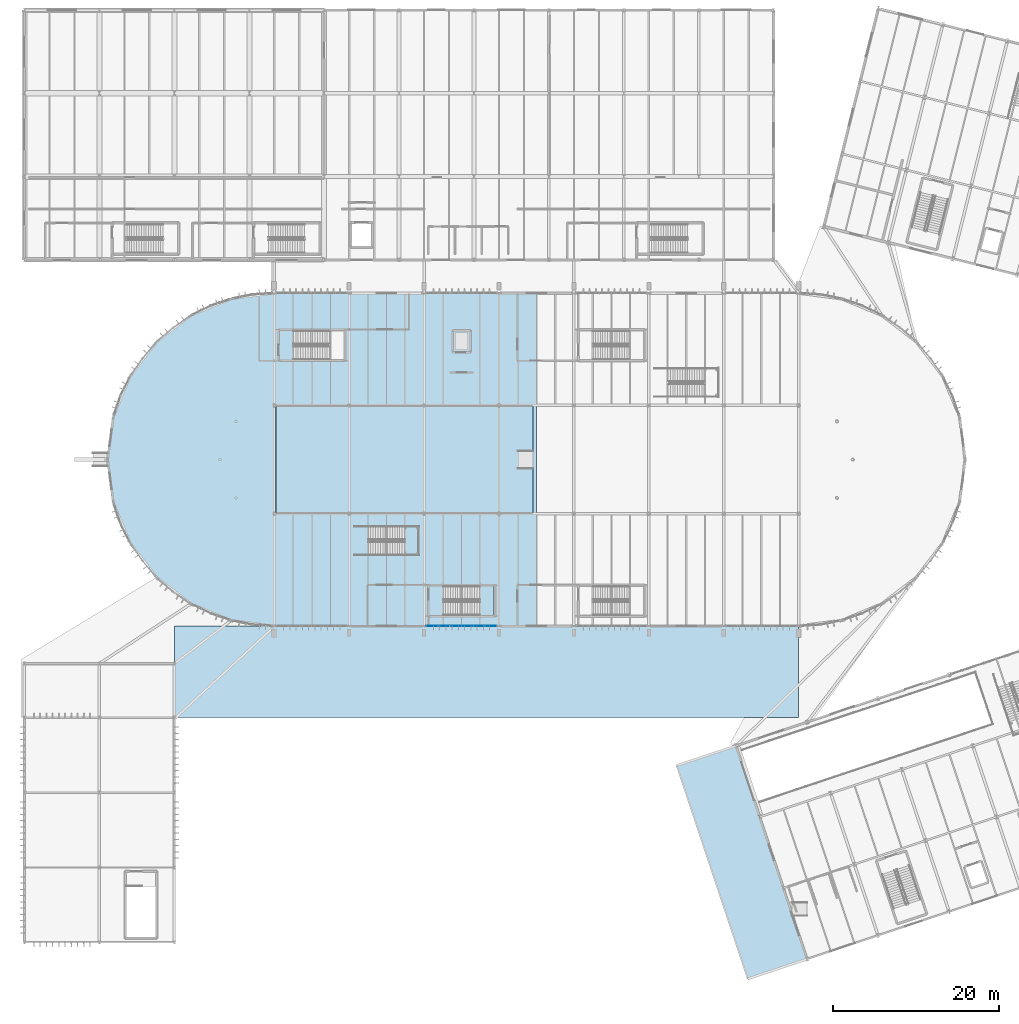
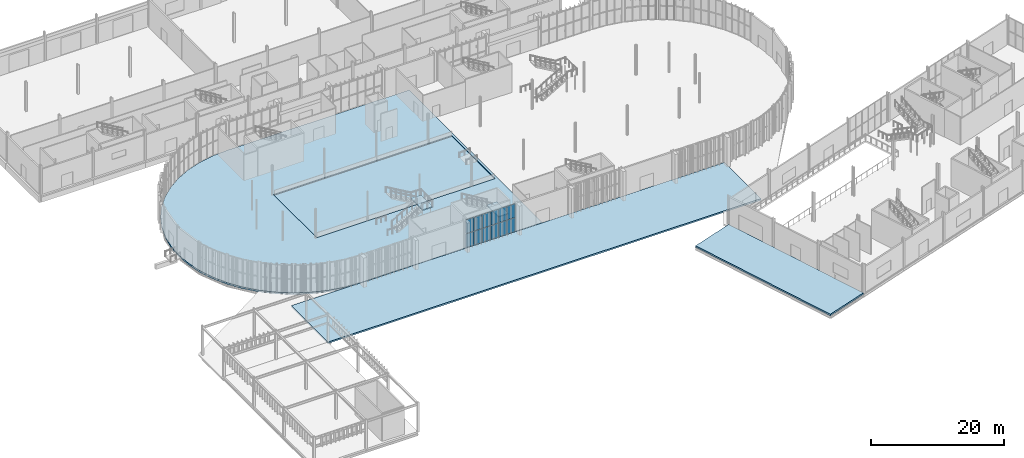
# One storey, part 106 of 158: 12 plates, 6 slabs, 3 elements without a shape of their own.
"""IFC4 building model written with IfcOpenShell, lengths in metres."""

import ifcopenshell
import ifcopenshell.guid

model = None  # the IFC model being written
_history = None  # IfcOwnerHistory: only IFC2X3 demands one
_inside = {}  # id of a spatial element -> (the spatial element, [elements in it])
_under = {}  # id of a project, library or spatial element -> (it, [spatial elements below it])
_declared = {}  # id of a project -> (the project, [libraries it declares])
_typed = {}  # id of a type object -> (the type object, [elements of that type])
_made_of = {}  # id of a material, layer set ... -> (it, [elements and type objects made of it])


def new_model(schema):
    """Start an empty IFC model of exactly this schema.

    Asked for "IFC4X3", IfcOpenShell would pick the latest addendum, in which some entities
    have other attributes; the version numbers below select the first issue.
    IFC2X3 requires an IfcOwnerHistory on every rooted entity: one is made here for all.
    """
    global model, _history
    if schema == "IFC4X3":
        model = ifcopenshell.file(schema_version=(4, 3, 0, 0))
    else:
        model = ifcopenshell.file(schema=schema)
    _inside.clear()
    _under.clear()
    _declared.clear()
    _typed.clear()
    _made_of.clear()
    _history = None
    if model.schema == "IFC2X3":
        org = make("IfcOrganization", Name="unknown")
        user = make(
            "IfcPersonAndOrganization",
            ThePerson=make("IfcPerson", FamilyName="unknown"),
            TheOrganization=org,
        )
        app = make(
            "IfcApplication",
            ApplicationDeveloper=org,
            Version="unknown",
            ApplicationFullName="unknown",
            ApplicationIdentifier="unknown",
        )
        _history = make(
            "IfcOwnerHistory",
            OwningUser=user,
            OwningApplication=app,
            ChangeAction="ADDED",
            CreationDate=0,
        )
    return model


def make(cls, **values):
    """One entity of the class cls with the attributes given. An attribute that is None is left unset."""
    return model.create_entity(
        cls, **{name: value for name, value in values.items() if value is not None}
    )


def rooted(cls, **values):
    """An entity with a GlobalId (a new one), such as an element, a storey or a relation."""
    return make(cls, GlobalId=ifcopenshell.guid.new(), OwnerHistory=_history, **values)


def si_unit(unit_type, name, prefix=None):
    """IfcSIUnit, for example si_unit("LENGTHUNIT", "METRE", prefix="MILLI")."""
    return make("IfcSIUnit", UnitType=unit_type, Prefix=prefix, Name=name)


def derived_unit(unit_type, elements):
    """IfcDerivedUnit: a product of units, each with its exponent."""
    return make(
        "IfcDerivedUnit",
        Elements=[
            make("IfcDerivedUnitElement", Unit=unit, Exponent=power)
            for unit, power in elements
        ],
        UnitType=unit_type,
    )


def assignment(units):
    """IfcUnitAssignment: the units of a project."""
    return None if units is None else make("IfcUnitAssignment", Units=units)


def point(xyz):
    """IfcCartesianPoint."""
    return None if xyz is None else make("IfcCartesianPoint", Coordinates=xyz)


def direction(xyz):
    """IfcDirection."""
    return None if xyz is None else make("IfcDirection", DirectionRatios=xyz)


def frame(location, z_axis=None, x_axis=None):
    """IfcAxis2Placement3D, a coordinate frame: its origin and axes. An axis left out is left unset."""
    return make(
        "IfcAxis2Placement3D",
        Location=point(location),
        Axis=direction(z_axis),
        RefDirection=direction(x_axis),
    )


def frame_2d(location, x_axis=None):
    """IfcAxis2Placement2D, a coordinate frame in the plane: its origin and x axis."""
    return make(
        "IfcAxis2Placement2D", Location=point(location), RefDirection=direction(x_axis)
    )


def origin():
    """The frame at (0, 0, 0) with its axes left unset."""
    return frame((0.0, 0.0, 0.0))


def origin_2d():
    """The frame at (0, 0) in the plane with its x axis left unset."""
    return frame_2d((0.0, 0.0))


def place(relative_to, where):
    """IfcLocalPlacement: puts the frame where relative to a parent placement (None: the world)."""
    return make(
        "IfcLocalPlacement", PlacementRelTo=relative_to, RelativePlacement=where
    )


def context(
    kind, dimensions, precision=None, world=None, true_north=None, identifier=None
):
    """IfcGeometricRepresentationContext, for example the 3D "Model" context."""
    return make(
        "IfcGeometricRepresentationContext",
        ContextIdentifier=identifier,
        ContextType=kind,
        CoordinateSpaceDimension=dimensions,
        Precision=precision,
        WorldCoordinateSystem=world,
        TrueNorth=true_north,
    )


def subcontext(parent, identifier, kind, view, scale=None):
    """IfcGeometricRepresentationSubContext, for example "Body" below "Model"."""
    return make(
        "IfcGeometricRepresentationSubContext",
        ContextIdentifier=identifier,
        ContextType=kind,
        ParentContext=parent,
        TargetScale=scale,
        TargetView=view,
    )


def project(units=None, contexts=None):
    """IfcProject with its units and contexts."""
    return rooted(
        "IfcProject",
        Name="project",
        RepresentationContexts=contexts,
        UnitsInContext=assignment(units),
    )


def spatial(cls, under=None, at=None, **own):
    """A site, building, storey or space (cls), placed at a placement, below another one or the project."""
    s = rooted(cls, ObjectPlacement=at, **own)
    if under is not None:
        _under.setdefault(under.id(), (under, []))[1].append(s)
    return s


def polyline(points):
    """IfcPolyline through the points."""
    return make("IfcPolyline", Points=[point(p) for p in points])


def profile(cls, at=None, kind="AREA", **sizes):
    """A parametric profile (cls). Its sizes go by their IFC names, for example OverallWidth=200.0."""
    return make(cls, ProfileType=kind, Position=at, **sizes)


def rectangle(**sizes):
    """IfcRectangleProfileDef."""
    return profile("IfcRectangleProfileDef", **sizes)


def outline(outer, holes=None, kind="AREA"):
    """IfcArbitraryClosedProfileDef: a profile drawn as a closed curve; with holes, ...WithVoids."""
    if holes is None:
        return make("IfcArbitraryClosedProfileDef", ProfileType=kind, OuterCurve=outer)
    return make(
        "IfcArbitraryProfileDefWithVoids",
        ProfileType=kind,
        OuterCurve=outer,
        InnerCurves=holes,
    )


def extrude(swept, where, along, depth):
    """IfcExtrudedAreaSolid: the profile swept, set in the frame where, extruded along a direction by depth."""
    return make(
        "IfcExtrudedAreaSolid",
        SweptArea=swept,
        Position=where,
        ExtrudedDirection=direction(along),
        Depth=depth,
    )


def shape(context_of_items, identifier, shape_type, items):
    """IfcShapeRepresentation: the items that make up one representation, for example the "Body"."""
    return make(
        "IfcShapeRepresentation",
        ContextOfItems=context_of_items,
        RepresentationIdentifier=identifier,
        RepresentationType=shape_type,
        Items=items,
    )


def material(Name=None, Category=None):
    """IfcMaterial."""
    return make("IfcMaterial", Name=Name, Category=Category)


def layer(
    of_material, thickness, ventilated=None, Name=None, Category=None, Priority=None
):
    """IfcMaterialLayer: one layer of a wall or slab, of a material (None: an air gap)."""
    return make(
        "IfcMaterialLayer",
        Material=of_material,
        LayerThickness=thickness,
        IsVentilated=ventilated,
        Name=Name,
        Category=Category,
        Priority=Priority,
    )


def layer_set(layers, Name=None):
    """IfcMaterialLayerSet."""
    return make("IfcMaterialLayerSet", MaterialLayers=layers, LayerSetName=Name)


def made_of(thing, what):
    """Note that an element or type object is made of a material, layer set ...; save() writes the relation."""
    if what is not None:
        _made_of.setdefault(what.id(), (what, []))[1].append(thing)
    return thing


def type_object(cls, material=None, **own):
    """A type object (cls), such as IfcWallType, which elements share."""
    return made_of(rooted(cls, **own), material)


def element(
    cls,
    number,
    at=None,
    inside=None,
    cuts=None,
    type_object=None,
    material=None,
    context=None,
    identifier="Body",
    shape_type=None,
    held_by="IfcProductDefinitionShape",
    body=None,
    shapes=None,
    **own,
):
    """One element of the class cls, such as IfcWall. Its Tag is "e" and its number.

    at: its placement. inside: the storey or other place that contains it. cuts: it is an
    opening in that element (IfcRelVoidsElement). A single representation is given by context,
    identifier, shape_type and body (its items); several are given by shapes. held_by: the class
    of the entity that holds the representations. save() writes the other relations.
    """
    e = rooted(cls, Tag="e%d" % number, ObjectPlacement=at, **own)
    if body is not None:
        shapes = [shape(context, identifier, shape_type, body)]
    if shapes is not None:
        e.Representation = make(held_by, Representations=shapes)
    if inside is not None:
        _inside.setdefault(inside.id(), (inside, []))[1].append(e)
    if cuts is not None:
        rooted(
            "IfcRelVoidsElement", RelatingBuildingElement=cuts, RelatedOpeningElement=e
        )
    if type_object is not None:
        _typed.setdefault(type_object.id(), (type_object, []))[1].append(e)
    return made_of(e, material)


def aggregate(whole, parts):
    """IfcRelAggregates: a whole, such as a stair, and the parts it consists of."""
    return rooted("IfcRelAggregates", RelatingObject=whole, RelatedObjects=parts)


def save(model, path):
    """Write the relations noted so far, then the file.

    IfcRelAggregates (storeys below a building ...), IfcRelContainedInSpatialStructure (elements
    in a storey), IfcRelDefinesByType, IfcRelAssociatesMaterial and IfcRelDeclares: one each for
    every whole, place, type object, material and project.
    """
    for whole, parts in _under.values():
        aggregate(whole, parts)
    for where, things in _inside.values():
        rooted(
            "IfcRelContainedInSpatialStructure",
            RelatedElements=things,
            RelatingStructure=where,
        )
    for kind, things in _typed.values():
        rooted("IfcRelDefinesByType", RelatedObjects=things, RelatingType=kind)
    for what, things in _made_of.values():
        rooted("IfcRelAssociatesMaterial", RelatedObjects=things, RelatingMaterial=what)
    for by, libraries in _declared.values():
        rooted("IfcRelDeclares", RelatingContext=by, RelatedDefinitions=libraries)
    model.write(path)


model = new_model("IFC4")

# Units and contexts
model_context = context("Model", 3, precision=1e-05, world=origin(), true_north=direction((0.0, 1.0)))
body_context = subcontext(model_context, "Body", "Model", "MODEL_VIEW")
ifc_project = project(units=[si_unit("LENGTHUNIT", "METRE"), si_unit("AREAUNIT", "SQUARE_METRE"), si_unit("VOLUMEUNIT", "CUBIC_METRE"), si_unit("PLANEANGLEUNIT", "RADIAN"), si_unit("MASSUNIT", "GRAM", prefix="KILO"), si_unit("THERMODYNAMICTEMPERATUREUNIT", "KELVIN"), si_unit("TIMEUNIT", "SECOND"), derived_unit("THERMALTRANSMITTANCEUNIT", [(si_unit("MASSUNIT", "GRAM", prefix="KILO"), 1), (si_unit("THERMODYNAMICTEMPERATUREUNIT", "KELVIN"), -1), (si_unit("TIMEUNIT", "SECOND"), -3)])], contexts=[model_context])

# Site, building, storey
site_placement = place(None, origin())
site = spatial("IfcSite", under=ifc_project, at=site_placement, CompositionType="ELEMENT")
building_placement = place(site_placement, origin())
building = spatial("IfcBuilding", under=site, at=building_placement, Name="Cambertide Market Hall", CompositionType="ELEMENT")
storey_placement = place(building_placement, origin())
storey = spatial("IfcBuildingStorey", under=building, at=storey_placement, Name="L01", CompositionType="ELEMENT", Elevation=0.0)

# Stair, slab
ifc_material_1 = material(Name="Concrete B35", Category="concrete")
stair_type_1 = type_object("IfcStairType", Name="Concrete Dogleg Stair ST-02", PredefinedType="HALF_TURN_STAIR", material=ifc_material_1)
stair_1_placement = place(storey_placement, origin())
stair_1 = element("IfcStair", 1, at=stair_1_placement, inside=storey, type_object=stair_type_1, Name="Level 1 Exit Stair Core 02", PredefinedType="HALF_TURN_STAIR")
ifc_material_2 = material(Name="Concrete B35", Category="concrete")
ifc_layer_1 = layer(ifc_material_2, 0.199951171875, Name="Concrete Stair Half-Landing 200")
ifc_layer_set_1 = layer_set([ifc_layer_1], Name="Concrete B35")
slab_type_1 = type_object("IfcSlabType", Name="Concrete Stair Half-Landing 200", PredefinedType="LANDING", material=ifc_layer_set_1)
slab_1_placement = place(storey_placement, frame((0.0, 0.0, 2.5)))
slab_1 = element("IfcSlab", 2, at=slab_1_placement, type_object=slab_type_1, Name="ST-02 landing 1", PredefinedType="LANDING", context=body_context, shape_type="SweptSolid", body=[
    extrude(outline(polyline([(66.64599609375, 53.300048828125), (68.39990234375, 53.300048828125), (68.39990234375, 56.800048828125), (66.64599609375, 56.800048828125), (66.64599609375, 53.300048828125)])), origin(), (0.0, 0.0, 1.0), 0.199951171875),
])
aggregate(stair_1, [slab_1])

ifc_material_3 = material(Name="Concrete B35", Category="concrete")
stair_type_2 = type_object("IfcStairType", Name="Concrete Dogleg Stair ST-10", PredefinedType="HALF_TURN_STAIR", material=ifc_material_3)
stair_2_placement = place(storey_placement, origin())
stair_2 = element("IfcStair", 3, at=stair_2_placement, inside=storey, type_object=stair_type_2, Name="Level 1 West Lantern Mezzanine Feature Stair", PredefinedType="HALF_TURN_STAIR")
slab_2_placement = place(storey_placement, frame((0.0, 0.0, 2.5)))
slab_2 = element("IfcSlab", 4, at=slab_2_placement, type_object=slab_type_1, Name="ST-10 landing 1", PredefinedType="LANDING", context=body_context, shape_type="SweptSolid", body=[
    extrude(outline(polyline([(57.64599609375, 60.5), (59.39990234375, 60.5), (59.39990234375, 64.0), (57.64599609375, 64.0), (57.64599609375, 60.5)])), origin(), (0.0, 0.0, 1.0), 0.199951171875),
])
aggregate(stair_2, [slab_2])

# Slabs
ifc_material_4 = material(Name="Concrete B35", Category="concrete")
ifc_layer_2 = layer(ifc_material_4, 0.280029296875, Name="Exterior Entry Apron & Colonnade Slab 280")
ifc_layer_set_2 = layer_set([ifc_layer_2], Name="Concrete B35")
slab_type_2 = type_object("IfcSlabType", Name="Exterior Entry Apron & Colonnade Slab 280", PredefinedType="FLOOR", material=ifc_layer_set_2)
slab_3_placement = place(storey_placement, frame((0.0, 0.0, -0.280029296875)))
element("IfcSlab", 5, at=slab_3_placement, inside=storey, type_object=slab_type_2, Name="Level 1 Slab SLB-L01-V3-APR", PredefinedType="FLOOR", context=body_context, shape_type="SweptSolid", body=[
    extrude(outline(polyline([(98.885009765625, 9.62841796875), (105.990478515625, 11.996826171875), (97.452392578125, 37.611328125), (90.3466796875, 35.24267578125), (98.885009765625, 9.62841796875)])), origin(), (0.0, 0.0, 1.0), 0.280029296875),
])
slab_4_placement = place(storey_placement, frame((0.0, 0.0, -0.280029296875)))
element("IfcSlab", 6, at=slab_4_placement, inside=storey, type_object=slab_type_2, Name="Level 1 Slab SLB-L01-APR6", PredefinedType="FLOOR", context=body_context, shape_type="SweptSolid", body=[
    extrude(outline(polyline([(105.0, 41.0048828125), (105.0, 51.945068359375), (41.998291015625, 51.945068359375), (41.2353515625, 51.9951171875), (30.0048828125, 51.9951171875), (30.0048828125, 41.010009765625), (30.010009765625, 41.010009765625), (30.010009765625, 41.0048828125), (105.0, 41.0048828125)])), origin(), (0.0, 0.0, 1.0), 0.280029296875),
])
ifc_material_5 = material(Name="Concrete B35", Category="concrete")
ifc_layer_3 = layer(ifc_material_5, 0.300048828125, Name="Ground Plinth Structural Slab 300")
ifc_layer_set_3 = layer_set([ifc_layer_3], Name="Concrete B35")
slab_type_3 = type_object("IfcSlabType", Name="Ground Plinth Structural Slab 300", PredefinedType="FLOOR", material=ifc_layer_set_3)
slab_5_placement = place(storey_placement, frame((0.0, 0.0, -0.300048828125)))
element("IfcSlab", 7, at=slab_5_placement, inside=storey, type_object=slab_type_3, Name="Level 1 Slab SLB-L01-V1W", PredefinedType="FLOOR", context=body_context, shape_type="SweptSolid", body=[
    extrude(outline(polyline([(42.0, 92.0), (39.389404296875, 91.828857421875), (36.82373046875, 91.318603515625), (34.346435546875, 90.4775390625), (32.0, 89.320556640625), (29.82470703125, 87.8671875), (27.85791015625, 86.14208984375), (26.1328125, 84.17529296875), (24.679443359375, 82.0), (23.5224609375, 79.653564453125), (22.681396484375, 77.17626953125), (22.171142578125, 74.610595703125), (22.0, 72.0), (22.171142578125, 69.389404296875), (22.681396484375, 66.82373046875), (23.5224609375, 64.346435546875), (24.679443359375, 62.0), (26.1328125, 59.82470703125), (27.85791015625, 57.85791015625), (29.82470703125, 56.1328125), (32.0, 54.679443359375), (34.346435546875, 53.5224609375), (36.82373046875, 52.681396484375), (39.389404296875, 52.171142578125), (42.0, 52.0), (73.5, 52.0), (73.5, 92.0), (42.0, 92.0)]), holes=[polyline([(42.199951171875, 78.5), (73.10009765625, 78.5), (73.10009765625, 65.5), (42.199951171875, 65.5), (42.199951171875, 78.5)])]), origin(), (0.0, 0.0, 1.0), 0.300048828125),
])

# Curtain wall, plates
ifc_material_6 = material(Name="Marine Anodized Aluminium 6063-T6 AA25", Category="aluminium")
curtain_wall_type = type_object("IfcCurtainWallType", Name="Lantern Straight Lower Curtain Wall", PredefinedType="USERDEFINED", material=ifc_material_6)
curtain_wall_placement = place(storey_placement, origin())
curtain_wall = element("IfcCurtainWall", 8, at=curtain_wall_placement, inside=storey, type_object=curtain_wall_type, Name="Level 1 Curtain Wall CW-V1S-L01-3", ObjectType="UNITIZED CURTAIN WALL", PredefinedType="USERDEFINED")
ifc_material_7 = material(Name="Low-E Laminated Insulated Glass", Category="glass")
ifc_layer_4 = layer(ifc_material_7, 0.028076171875, Name="Vision Insulated Glazing Panel 28")
ifc_layer_set_4 = layer_set([ifc_layer_4], Name="Low-E Laminated Insulated Glass")
plate_type = type_object("IfcPlateType", Name="Vision Insulated Glazing Panel 28", PredefinedType="CURTAIN_PANEL", material=ifc_layer_set_4)
plate_1_placement = place(storey_placement, frame((68.041748046875, 52.0, 0.0400390625), z_axis=(0.0, 0.0, 1.0), x_axis=(-1.0, 0.0, 0.0)))
plate_1 = element("IfcPlate", 9, at=plate_1_placement, type_object=plate_type, Name="CW-V1S-L01-3 Glazing Panel 1-1", PredefinedType="CURTAIN_PANEL", context=body_context, shape_type="SweptSolid", body=[
    extrude(rectangle(XDim=1.336669921875, YDim=0.028076171875, at=origin_2d()), origin(), (0.0, 0.0, 1.0), 2.5),
])
plate_2_placement = place(storey_placement, frame((66.625, 52.0, 0.0400390625), z_axis=(0.0, 0.0, 1.0), x_axis=(-1.0, 0.0, 0.0)))
plate_2 = element("IfcPlate", 10, at=plate_2_placement, type_object=plate_type, Name="CW-V1S-L01-3 Glazing Panel 1-2", PredefinedType="CURTAIN_PANEL", context=body_context, shape_type="SweptSolid", body=[
    extrude(rectangle(XDim=1.336669921875, YDim=0.028076171875, at=origin_2d()), origin(), (0.0, 0.0, 1.0), 2.5),
])
plate_3_placement = place(storey_placement, frame((65.208251953125, 52.0, 0.0400390625), z_axis=(0.0, 0.0, 1.0), x_axis=(-1.0, 0.0, 0.0)))
plate_3 = element("IfcPlate", 11, at=plate_3_placement, type_object=plate_type, Name="CW-V1S-L01-3 Glazing Panel 1-3", PredefinedType="CURTAIN_PANEL", context=body_context, shape_type="SweptSolid", body=[
    extrude(rectangle(XDim=1.336669921875, YDim=0.028076171875, at=origin_2d()), origin(), (0.0, 0.0, 1.0), 2.5),
])
plate_4_placement = place(storey_placement, frame((63.791748046875, 52.0, 0.0400390625), z_axis=(0.0, 0.0, 1.0), x_axis=(-1.0, 0.0, 0.0)))
plate_4 = element("IfcPlate", 12, at=plate_4_placement, type_object=plate_type, Name="CW-V1S-L01-3 Glazing Panel 1-4", PredefinedType="CURTAIN_PANEL", context=body_context, shape_type="SweptSolid", body=[
    extrude(rectangle(XDim=1.336669921875, YDim=0.028076171875, at=origin_2d()), origin(), (0.0, 0.0, 1.0), 2.5),
])
plate_5_placement = place(storey_placement, frame((62.375, 52.0, 0.0400390625), z_axis=(0.0, 0.0, 1.0), x_axis=(-1.0, 0.0, 0.0)))
plate_5 = element("IfcPlate", 13, at=plate_5_placement, type_object=plate_type, Name="CW-V1S-L01-3 Glazing Panel 1-5", PredefinedType="CURTAIN_PANEL", context=body_context, shape_type="SweptSolid", body=[
    extrude(rectangle(XDim=1.336669921875, YDim=0.028076171875, at=origin_2d()), origin(), (0.0, 0.0, 1.0), 2.5),
])
plate_6_placement = place(storey_placement, frame((60.958251953125, 52.0, 0.0400390625), z_axis=(0.0, 0.0, 1.0), x_axis=(-1.0, 0.0, 0.0)))
plate_6 = element("IfcPlate", 14, at=plate_6_placement, type_object=plate_type, Name="CW-V1S-L01-3 Glazing Panel 1-6", PredefinedType="CURTAIN_PANEL", context=body_context, shape_type="SweptSolid", body=[
    extrude(rectangle(XDim=1.336669921875, YDim=0.028076171875, at=origin_2d()), origin(), (0.0, 0.0, 1.0), 2.5),
])
plate_7_placement = place(storey_placement, frame((68.041748046875, 52.0, 2.6201171875), z_axis=(0.0, 0.0, 1.0), x_axis=(-1.0, 0.0, 0.0)))
plate_7 = element("IfcPlate", 15, at=plate_7_placement, type_object=plate_type, Name="CW-V1S-L01-3 Glazing Panel 2-1", PredefinedType="CURTAIN_PANEL", context=body_context, shape_type="SweptSolid", body=[
    extrude(rectangle(XDim=1.336669921875, YDim=0.028076171875, at=origin_2d()), origin(), (0.0, 0.0, 1.0), 2.5),
])
plate_8_placement = place(storey_placement, frame((66.625, 52.0, 2.6201171875), z_axis=(0.0, 0.0, 1.0), x_axis=(-1.0, 0.0, 0.0)))
plate_8 = element("IfcPlate", 16, at=plate_8_placement, type_object=plate_type, Name="CW-V1S-L01-3 Glazing Panel 2-2", PredefinedType="CURTAIN_PANEL", context=body_context, shape_type="SweptSolid", body=[
    extrude(rectangle(XDim=1.336669921875, YDim=0.028076171875, at=origin_2d()), origin(), (0.0, 0.0, 1.0), 2.5),
])
plate_9_placement = place(storey_placement, frame((65.208251953125, 52.0, 2.6201171875), z_axis=(0.0, 0.0, 1.0), x_axis=(-1.0, 0.0, 0.0)))
plate_9 = element("IfcPlate", 17, at=plate_9_placement, type_object=plate_type, Name="CW-V1S-L01-3 Glazing Panel 2-3", PredefinedType="CURTAIN_PANEL", context=body_context, shape_type="SweptSolid", body=[
    extrude(rectangle(XDim=1.336669921875, YDim=0.028076171875, at=origin_2d()), origin(), (0.0, 0.0, 1.0), 2.5),
])
plate_10_placement = place(storey_placement, frame((63.791748046875, 52.0, 2.6201171875), z_axis=(0.0, 0.0, 1.0), x_axis=(-1.0, 0.0, 0.0)))
plate_10 = element("IfcPlate", 18, at=plate_10_placement, type_object=plate_type, Name="CW-V1S-L01-3 Glazing Panel 2-4", PredefinedType="CURTAIN_PANEL", context=body_context, shape_type="SweptSolid", body=[
    extrude(rectangle(XDim=1.336669921875, YDim=0.028076171875, at=origin_2d()), origin(), (0.0, 0.0, 1.0), 2.5),
])
plate_11_placement = place(storey_placement, frame((62.375, 52.0, 2.6201171875), z_axis=(0.0, 0.0, 1.0), x_axis=(-1.0, 0.0, 0.0)))
plate_11 = element("IfcPlate", 19, at=plate_11_placement, type_object=plate_type, Name="CW-V1S-L01-3 Glazing Panel 2-5", PredefinedType="CURTAIN_PANEL", context=body_context, shape_type="SweptSolid", body=[
    extrude(rectangle(XDim=1.336669921875, YDim=0.028076171875, at=origin_2d()), origin(), (0.0, 0.0, 1.0), 2.5),
])
plate_12_placement = place(storey_placement, frame((60.958251953125, 52.0, 2.6201171875), z_axis=(0.0, 0.0, 1.0), x_axis=(-1.0, 0.0, 0.0)))
plate_12 = element("IfcPlate", 20, at=plate_12_placement, type_object=plate_type, Name="CW-V1S-L01-3 Glazing Panel 2-6", PredefinedType="CURTAIN_PANEL", context=body_context, shape_type="SweptSolid", body=[
    extrude(rectangle(XDim=1.336669921875, YDim=0.028076171875, at=origin_2d()), origin(), (0.0, 0.0, 1.0), 2.5),
])
aggregate(curtain_wall, [plate_1, plate_2, plate_3, plate_4, plate_5, plate_6, plate_7, plate_8, plate_9, plate_10, plate_11, plate_12])

# Slab
ifc_material_8 = material(Name="Concrete B35", Category="concrete")
ifc_layer_5 = layer(ifc_material_8, 0.320068359375, Name="Wet Market Recessed Washdown Slab 320")
ifc_layer_set_5 = layer_set([ifc_layer_5], Name="Concrete B35")
slab_type_4 = type_object("IfcSlabType", Name="Wet Market Recessed Washdown Slab 320", PredefinedType="FLOOR", material=ifc_layer_set_5)
slab_6_placement = place(storey_placement, frame((0.0, 0.0, -0.469970703125)))
element("IfcSlab", 21, at=slab_6_placement, inside=storey, type_object=slab_type_4, Name="Level 1 Slab SLB-L01-V1W-REC", PredefinedType="FLOOR", context=body_context, shape_type="SweptSolid", body=[
    extrude(outline(polyline([(42.199951171875, 65.5), (73.10009765625, 65.5), (73.10009765625, 78.5), (42.199951171875, 78.5), (42.199951171875, 65.5)])), origin(), (0.0, 0.0, 1.0), 0.320068359375),
])

save(model, "model.ifc")
